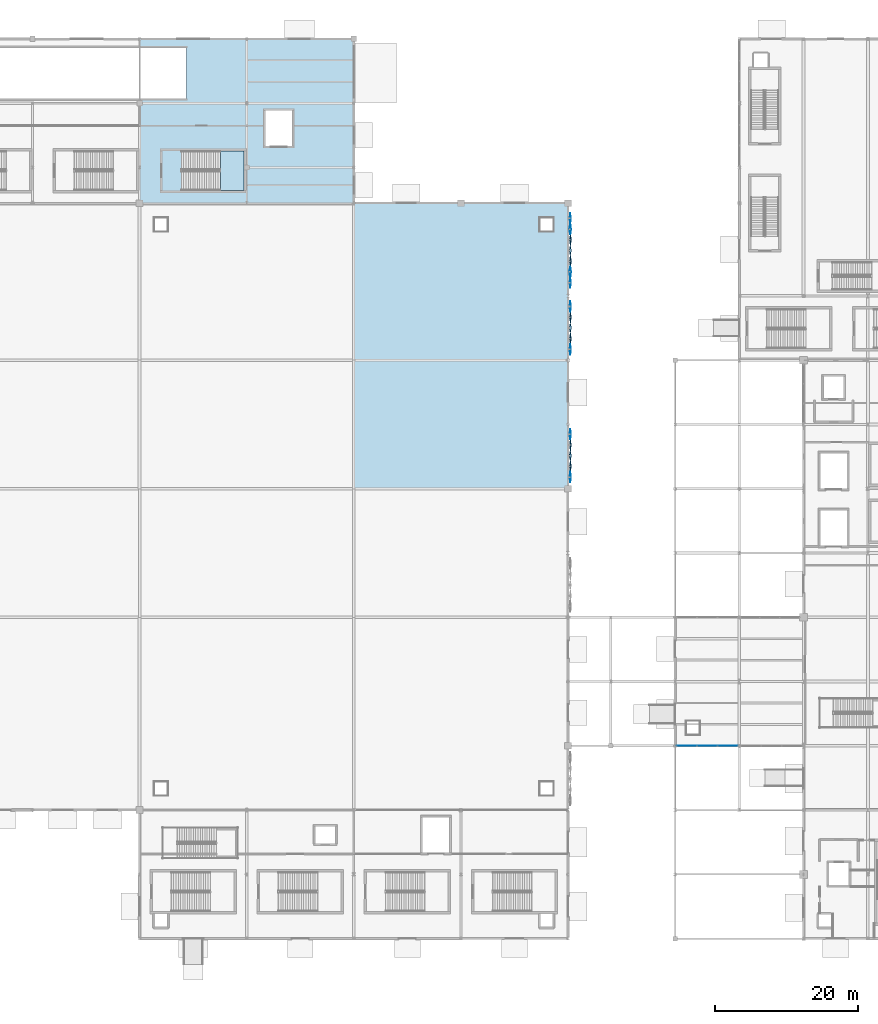
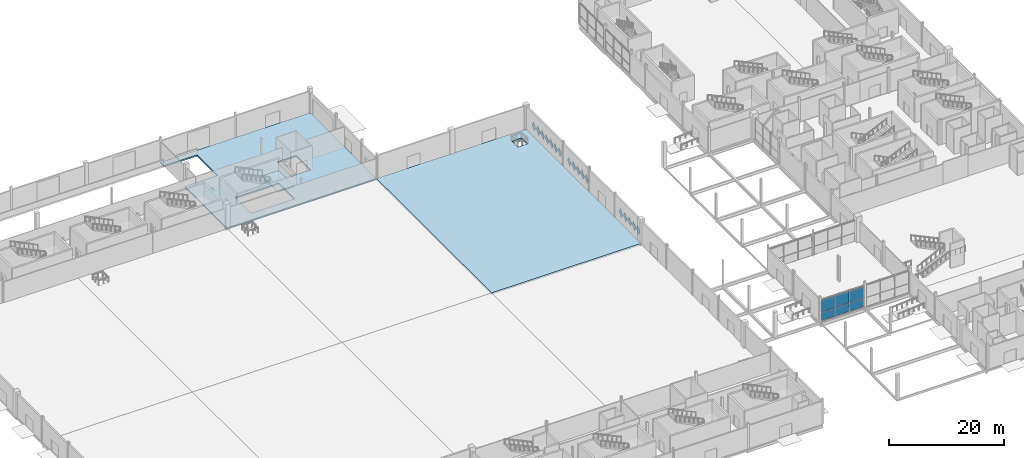
# One storey, part 46 of 94: 23 plates, 3 slabs, 2 elements without a shape of their own.
"""IFC4 building model written with IfcOpenShell, lengths in metres."""

from ifc_helpers import new_model, si_unit, direction, frame, origin, origin_2d, place, context, subcontext, project, spatial, polyline, rectangle, outline, extrude, material, layer, layer_set, type_object, element, aggregate, save


model = new_model("IFC4")

# Units and contexts
model_context = context("Model", 3, precision=1e-05, world=origin(), true_north=direction((0.0, 1.0)))
body_context = subcontext(model_context, "Body", "Model", "MODEL_VIEW")
ifc_project = project(units=[si_unit("LENGTHUNIT", "METRE"), si_unit("AREAUNIT", "SQUARE_METRE"), si_unit("VOLUMEUNIT", "CUBIC_METRE"), si_unit("PLANEANGLEUNIT", "RADIAN"), si_unit("MASSUNIT", "GRAM", prefix="KILO")], contexts=[model_context])

# Site, building, storey
site_placement = place(None, origin())
site = spatial("IfcSite", under=ifc_project, at=site_placement, CompositionType="ELEMENT")
building_placement = place(site_placement, origin())
building = spatial("IfcBuilding", under=site, at=building_placement, Name="Qamarlyn Nura Convention Centre", CompositionType="ELEMENT")
storey_placement = place(building_placement, origin())
storey = spatial("IfcBuildingStorey", under=building, at=storey_placement, Name="L00", CompositionType="ELEMENT", Elevation=0.0)

# Curtain wall, plates
ifc_material_1 = material(Name="Double-silver low-E insulated glass", Category="glass")
ifc_layer_1 = layer(ifc_material_1, 0.179931640625, Name="CW-UNIT-60")
ifc_layer_set_1 = layer_set([ifc_layer_1], Name="Double-silver low-E insulated glass")
curtain_wall_type = type_object("IfcCurtainWallType", Name="CW-UNIT-60", PredefinedType="NOTDEFINED", material=ifc_layer_set_1)
curtain_wall_placement = place(storey_placement, origin())
curtain_wall = element("IfcCurtainWall", 1, at=curtain_wall_placement, inside=storey, type_object=curtain_wall_type, Name="L00 unitised curtain wall WSS-L00-2", PredefinedType="NOTDEFINED")
ifc_layer_2 = layer(ifc_material_1, 0.028076171875, Name="CWP-VIS-28")
ifc_layer_set_2 = layer_set([ifc_layer_2], Name="Double-silver low-E insulated glass")
plate_type_1 = type_object("IfcPlateType", Name="CWP-VIS-28", PredefinedType="CURTAIN_PANEL", material=ifc_layer_set_2)
plate_1_placement = place(storey_placement, frame((142.36572265625, 27.0, 0.06982421875), z_axis=(0.0, 0.0, 1.0), x_axis=(-1.0, 0.0, 0.0)))
plate_1 = element("IfcPlate", 2, at=plate_1_placement, type_object=plate_type_1, Name="CW60 panel 1.1", PredefinedType="CURTAIN_PANEL", context=body_context, shape_type="SweptSolid", body=[
    extrude(rectangle(XDim=2.7783203125, YDim=0.028076171875, at=origin_2d()), origin(), (0.0, 0.0, 1.0), 1.777099609375),
])
plate_2_placement = place(storey_placement, frame((142.36572265625, 27.0, 1.9169921875), z_axis=(0.0, 0.0, 1.0), x_axis=(-1.0, 0.0, 0.0)))
plate_2 = element("IfcPlate", 3, at=plate_2_placement, type_object=plate_type_1, Name="CW60 panel 1.2", PredefinedType="CURTAIN_PANEL", context=body_context, shape_type="SweptSolid", body=[
    extrude(rectangle(XDim=2.7783203125, YDim=0.028076171875, at=origin_2d()), origin(), (0.0, 0.0, 1.0), 2.493896484375),
])
plate_3_placement = place(storey_placement, frame((139.5, 27.0, 0.06982421875), z_axis=(0.0, 0.0, 1.0), x_axis=(-1.0, 0.0, 0.0)))
plate_3 = element("IfcPlate", 4, at=plate_3_placement, type_object=plate_type_1, Name="CW60 panel 2.1", PredefinedType="CURTAIN_PANEL", context=body_context, shape_type="SweptSolid", body=[
    extrude(rectangle(XDim=2.813232421875, YDim=0.028076171875, at=origin_2d()), origin(), (0.0, 0.0, 1.0), 1.777099609375),
])
plate_4_placement = place(storey_placement, frame((139.5, 27.0, 1.9169921875), z_axis=(0.0, 0.0, 1.0), x_axis=(-1.0, 0.0, 0.0)))
plate_4 = element("IfcPlate", 5, at=plate_4_placement, type_object=plate_type_1, Name="CW60 panel 2.2", PredefinedType="CURTAIN_PANEL", context=body_context, shape_type="SweptSolid", body=[
    extrude(rectangle(XDim=2.813232421875, YDim=0.028076171875, at=origin_2d()), origin(), (0.0, 0.0, 1.0), 2.493896484375),
])
plate_5_placement = place(storey_placement, frame((136.63427734375, 27.0, 0.06982421875), z_axis=(0.0, 0.0, 1.0), x_axis=(-1.0, 0.0, 0.0)))
plate_5 = element("IfcPlate", 6, at=plate_5_placement, type_object=plate_type_1, Name="CW60 panel 3.1", PredefinedType="CURTAIN_PANEL", context=body_context, shape_type="SweptSolid", body=[
    extrude(rectangle(XDim=2.7783203125, YDim=0.028076171875, at=origin_2d()), origin(), (0.0, 0.0, 1.0), 1.777099609375),
])
plate_6_placement = place(storey_placement, frame((136.63427734375, 27.0, 1.9169921875), z_axis=(0.0, 0.0, 1.0), x_axis=(-1.0, 0.0, 0.0)))
plate_6 = element("IfcPlate", 7, at=plate_6_placement, type_object=plate_type_1, Name="CW60 panel 3.2", PredefinedType="CURTAIN_PANEL", context=body_context, shape_type="SweptSolid", body=[
    extrude(rectangle(XDim=2.7783203125, YDim=0.028076171875, at=origin_2d()), origin(), (0.0, 0.0, 1.0), 2.493896484375),
])
aggregate(curtain_wall, [plate_1, plate_2, plate_3, plate_4, plate_5, plate_6])

# Plates
ifc_material_2 = material(Name="White high-albedo PVDF aluminium composite sheet", Category="aluminium")
ifc_layer_3 = layer(ifc_material_2, 0.02001953125, Name="FP-DIAM-02")
ifc_layer_set_3 = layer_set([ifc_layer_3], Name="White high-albedo PVDF aluminium composite sheet")
plate_type_2 = type_object("IfcPlateType", Name="FP-DIAM-02", PredefinedType="SHEET", material=ifc_layer_set_3)
for number, where, z_axis, x_axis, name in (
    (8, (120.31005859375, 100.868896484375, 1.699951171875), (0.998638653892, 0.0, 0.052161661713), (0.0, 1.0, 0.0), "L00 pivoted white diamond facade tile 0042"),
    (9, (120.31005859375, 91.868896484375, 1.699951171875), (0.998638653892, 0.0, 0.052161661713), (0.0, 1.0, 0.0), "L00 pivoted white diamond facade tile 0048"),
):
    element("IfcPlate", number, at=place(storey_placement, frame(where, z_axis=z_axis, x_axis=x_axis)), inside=storey, type_object=plate_type_2, Name=name, PredefinedType="SHEET", context=body_context, shape_type="SweptSolid", body=[
        extrude(outline(polyline([(-0.719970703125, 0.0), (0.0, -1.050048828125), (0.719970703125, 0.0), (0.0, 1.050048828125), (-0.719970703125, 0.0)])), origin(), (0.0, 0.0, 1.0), 0.02001953125),
    ])
ifc_layer_4 = layer(ifc_material_2, 0.02392578125, Name="FP-DIAM-03")
ifc_layer_set_4 = layer_set([ifc_layer_4], Name="White high-albedo PVDF aluminium composite sheet")
plate_type_3 = type_object("IfcPlateType", Name="FP-DIAM-03", PredefinedType="SHEET", material=ifc_layer_set_4)
for number, where, z_axis, x_axis, name in (
    (10, (120.31005859375, 70.635986328125, 1.699951171875), (0.998059468659, 0.0, 0.062267945373), (0.0, 1.0, 0.0), "L00 pivoted white diamond facade tile 0032"),
    (11, (120.31005859375, 64.635986328125, 1.699951171875), (0.998059468659, 0.0, 0.062267945373), (0.0, 1.0, 0.0), "L00 pivoted white diamond facade tile 0036"),
    (12, (120.31005859375, 88.520751953125, 1.699951171875), (0.998059468659, 0.0, 0.062267945373), (0.0, 1.0, 0.0), "L00 pivoted white diamond facade tile 0037"),
    (13, (120.31005859375, 82.520751953125, 1.699951171875), (0.998059468659, 0.0, 0.062267945373), (0.0, 1.0, 0.0), "L00 pivoted white diamond facade tile 0041"),
):
    element("IfcPlate", number, at=place(storey_placement, frame(where, z_axis=z_axis, x_axis=x_axis)), inside=storey, type_object=plate_type_3, Name=name, PredefinedType="SHEET", context=body_context, shape_type="SweptSolid", body=[
        extrude(outline(polyline([(-0.719970703125, 0.0), (0.0, -1.050048828125), (0.719970703125, 0.0), (0.0, 1.050048828125), (-0.719970703125, 0.0)])), origin(), (0.0, 0.0, 1.0), 0.02392578125),
    ])
ifc_layer_5 = layer(ifc_material_2, 0.030029296875, Name="FP-DIAM-05")
ifc_layer_set_5 = layer_set([ifc_layer_5], Name="White high-albedo PVDF aluminium composite sheet")
plate_type_4 = type_object("IfcPlateType", Name="FP-DIAM-05", PredefinedType="SHEET", material=ifc_layer_set_5)
for number, where, z_axis, x_axis, name in (
    (14, (120.31005859375, 99.368896484375, 1.699951171875), (0.995090178471, 0.0, 0.098972403781), (0.0, 1.0, 0.0), "L00 pivoted white diamond facade tile 0043"),
    (15, (120.31005859375, 93.368896484375, 1.699951171875), (0.995090178471, 0.0, 0.098972403781), (0.0, 1.0, 0.0), "L00 pivoted white diamond facade tile 0047"),
):
    element("IfcPlate", number, at=place(storey_placement, frame(where, z_axis=z_axis, x_axis=x_axis)), inside=storey, type_object=plate_type_4, Name=name, PredefinedType="SHEET", context=body_context, shape_type="SweptSolid", body=[
        extrude(outline(polyline([(-0.719970703125, 0.0), (0.0, -1.050048828125), (0.719970703125, 0.0), (0.0, 1.050048828125), (-0.719970703125, 0.0)])), origin(), (0.0, 0.0, 1.0), 0.030029296875),
    ])
ifc_layer_6 = layer(ifc_material_2, 0.0380859375, Name="FP-DIAM-07")
ifc_layer_set_6 = layer_set([ifc_layer_6], Name="White high-albedo PVDF aluminium composite sheet")
plate_type_5 = type_object("IfcPlateType", Name="FP-DIAM-07", PredefinedType="SHEET", material=ifc_layer_set_6)
for number, where, z_axis, x_axis, name in (
    (16, (120.31005859375, 69.135986328125, 1.699951171875), (0.99271534578, 0.0, 0.120483369194), (0.0, 1.0, 0.0), "L00 pivoted white diamond facade tile 0033"),
    (17, (120.31005859375, 66.135986328125, 1.699951171875), (0.99271534578, 0.0, 0.120483369194), (0.0, 1.0, 0.0), "L00 pivoted white diamond facade tile 0035"),
    (18, (120.31005859375, 87.020751953125, 1.699951171875), (0.99271534578, 0.0, 0.120483369194), (0.0, 1.0, 0.0), "L00 pivoted white diamond facade tile 0038"),
    (19, (120.31005859375, 84.020751953125, 1.699951171875), (0.99271534578, 0.0, 0.120483369194), (0.0, 1.0, 0.0), "L00 pivoted white diamond facade tile 0040"),
):
    element("IfcPlate", number, at=place(storey_placement, frame(where, z_axis=z_axis, x_axis=x_axis)), inside=storey, type_object=plate_type_5, Name=name, PredefinedType="SHEET", context=body_context, shape_type="SweptSolid", body=[
        extrude(outline(polyline([(-0.719970703125, 0.0), (0.0, -1.050048828125), (0.719970703125, 0.0), (0.0, 1.050048828125), (-0.719970703125, 0.0)])), origin(), (0.0, 0.0, 1.0), 0.0380859375),
    ])
ifc_layer_7 = layer(ifc_material_2, 0.0439453125, Name="FP-DIAM-08")
ifc_layer_set_7 = layer_set([ifc_layer_7], Name="White high-albedo PVDF aluminium composite sheet")
plate_type_6 = type_object("IfcPlateType", Name="FP-DIAM-08", PredefinedType="SHEET", material=ifc_layer_set_7)
for number, where, z_axis, x_axis, name in (
    (20, (120.31005859375, 67.635986328125, 1.699951171875), (0.989776230908, 0.0, 0.142628933706), (0.0, 1.0, 0.0), "L00 pivoted white diamond facade tile 0034"),
    (21, (120.31005859375, 85.520751953125, 1.699951171875), (0.989776230908, 0.0, 0.142628933706), (0.0, 1.0, 0.0), "L00 pivoted white diamond facade tile 0039"),
    (22, (120.31005859375, 97.868896484375, 1.699951171875), (0.9913534953, 0.0, 0.131218319443), (0.0, 1.0, 0.0), "L00 pivoted white diamond facade tile 0044"),
    (23, (120.31005859375, 96.368896484375, 1.699951171875), (0.989776230908, 0.0, 0.142628933706), (0.0, 1.0, 0.0), "L00 pivoted white diamond facade tile 0045"),
    (24, (120.31005859375, 94.868896484375, 1.699951171875), (0.9913534953, 0.0, 0.131218319443), (0.0, 1.0, 0.0), "L00 pivoted white diamond facade tile 0046"),
):
    element("IfcPlate", number, at=place(storey_placement, frame(where, z_axis=z_axis, x_axis=x_axis)), inside=storey, type_object=plate_type_6, Name=name, PredefinedType="SHEET", context=body_context, shape_type="SweptSolid", body=[
        extrude(outline(polyline([(-0.719970703125, 0.0), (0.0, -1.050048828125), (0.719970703125, 0.0), (0.0, 1.050048828125), (-0.719970703125, 0.0)])), origin(), (0.0, 0.0, 1.0), 0.0439453125),
    ])

# Slabs
ifc_material_3 = material(Name="Concrete C40/50", Category="concrete")
ifc_layer_8 = layer(ifc_material_3, 0.35009765625, Name="SL-L00-EX")
ifc_layer_set_8 = layer_set([ifc_layer_8], Name="Concrete C40/50")
slab_type_1 = type_object("IfcSlabType", Name="SL-L00-EX", PredefinedType="FLOOR", material=ifc_layer_set_8)
slab_1_placement = place(storey_placement, frame((0.0, 0.0, -0.35009765625)))
element("IfcSlab", 25, at=slab_1_placement, inside=storey, type_object=slab_type_1, Name="L00 floor slab L00-EX8", PredefinedType="FLOOR", context=body_context, shape_type="SweptSolid", body=[
    extrude(outline(polyline([(90.0, 103.0), (120.0, 103.0), (120.0, 63.0), (90.0, 63.0), (90.0, 103.0)]), holes=[polyline([(116.0, 101.0), (116.0, 99.0), (118.0, 99.0), (118.0, 101.0), (116.0, 101.0)])]), origin(), (0.0, 0.0, 1.0), 0.35009765625),
])
ifc_layer_9 = layer(ifc_material_3, 0.320068359375, Name="SL-L00-SY")
ifc_layer_set_9 = layer_set([ifc_layer_9], Name="Concrete C40/50")
slab_type_2 = type_object("IfcSlabType", Name="SL-L00-SY", PredefinedType="FLOOR", material=ifc_layer_set_9)
slab_2_placement = place(storey_placement, frame((0.0, 0.0, -0.320068359375)))
element("IfcSlab", 26, at=slab_2_placement, inside=storey, type_object=slab_type_2, Name="L00 floor slab L00-SY2", PredefinedType="FLOOR", context=body_context, shape_type="SweptSolid", body=[
    extrude(outline(polyline([(60.0, 126.0), (90.0, 126.0), (90.0, 103.0), (60.0, 103.0), (60.0, 117.60009765625), (66.60009765625, 117.60009765625), (66.60009765625, 124.800048828125), (60.0, 124.800048828125), (60.0, 126.0)]), holes=[polyline([(65.860107421875, 104.800048828125), (74.60009765625, 104.800048828125), (74.60009765625, 110.300048828125), (65.860107421875, 110.300048828125), (65.860107421875, 104.800048828125)]), polyline([(81.39990234375, 111.0), (81.39990234375, 116.0), (77.60009765625, 116.0), (77.60009765625, 111.0), (81.39990234375, 111.0)])]), origin(), (0.0, 0.0, 1.0), 0.320068359375),
])

# Stair, slab
stair_type = type_object("IfcStairType", Name="STAIR-EXIT-54", PredefinedType="HALF_TURN_STAIR", material=ifc_material_3)
stair_placement = place(storey_placement, origin())
stair = element("IfcStair", 27, at=stair_placement, inside=storey, type_object=stair_type, Name="L00 Enclosed exit stair ST-04", PredefinedType="HALF_TURN_STAIR")
ifc_layer_10 = layer(ifc_material_3, 0.199951171875, Name="SL-LAND-200")
ifc_layer_set_10 = layer_set([ifc_layer_10], Name="Concrete C40/50")
slab_type_3 = type_object("IfcSlabType", Name="SL-LAND-200", PredefinedType="LANDING", material=ifc_layer_set_10)
slab_3_placement = place(storey_placement, frame((0.0, 0.0, 2.5)))
slab_3 = element("IfcSlab", 28, at=slab_3_placement, type_object=slab_type_3, Name="ST-04 landing 1", PredefinedType="LANDING", context=body_context, shape_type="SweptSolid", body=[
    extrude(outline(polyline([(71.300048828125, 104.800048828125), (74.60009765625, 104.800048828125), (74.60009765625, 110.300048828125), (71.300048828125, 110.300048828125), (71.300048828125, 104.800048828125)])), origin(), (0.0, 0.0, 1.0), 0.199951171875),
])
aggregate(stair, [slab_3])

save(model, "model.ifc")
